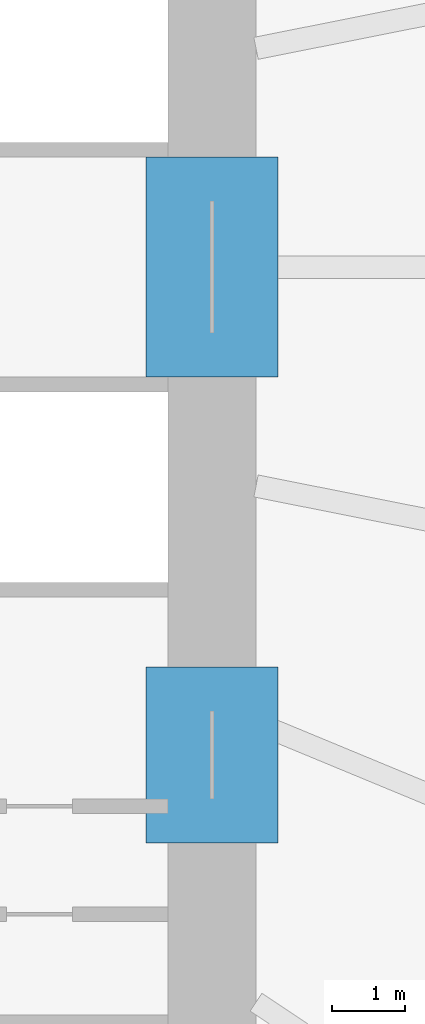
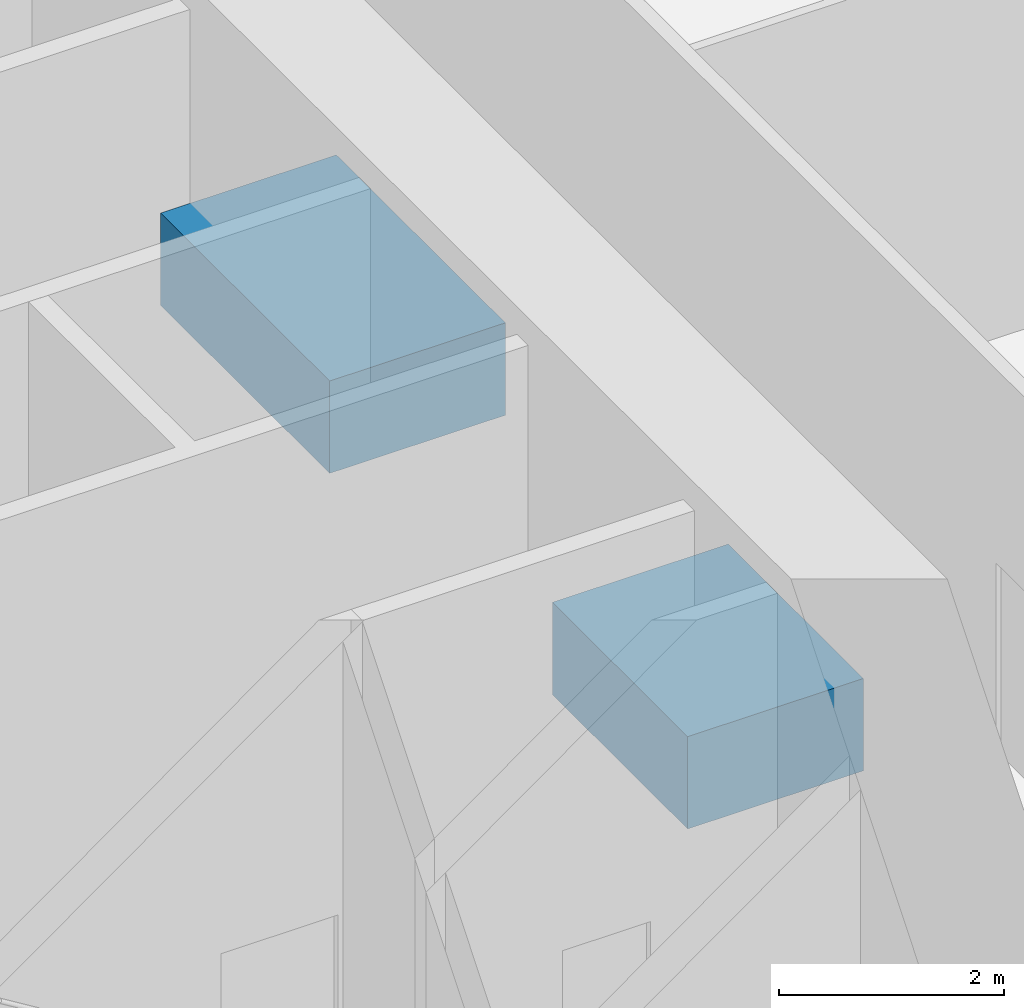
# One storey, part 10 of 37: 2 beams.
"""IFC4 building model written with IfcOpenShell, lengths in metres."""

from ifc_helpers import new_model, si_unit, direction, frame, origin, origin_2d, place, context, subcontext, project, spatial, rectangle, extrude, material, material_profile, profile_set, type_object, element, save


model = new_model("IFC4")

# Units and contexts
model_context = context("Model", 3, precision=1e-05, world=origin(), true_north=direction((0.0, 1.0)))
body_context = subcontext(model_context, "Body", "Model", "MODEL_VIEW")
ifc_project = project(units=[si_unit("LENGTHUNIT", "METRE"), si_unit("AREAUNIT", "SQUARE_METRE"), si_unit("VOLUMEUNIT", "CUBIC_METRE"), si_unit("PLANEANGLEUNIT", "RADIAN"), si_unit("MASSUNIT", "GRAM", prefix="KILO")], contexts=[model_context])

# Site, building, storey
site_placement = place(None, origin())
site = spatial("IfcSite", under=ifc_project, at=site_placement, CompositionType="ELEMENT")
building_placement = place(site_placement, origin())
building = spatial("IfcBuilding", under=site, at=building_placement, Name="Corvane Civic Tower", CompositionType="ELEMENT")
storey_placement = place(building_placement, frame((0.0, 0.0, 11.5)))
storey = spatial("IfcBuildingStorey", under=building, at=storey_placement, Name="L02", CompositionType="ELEMENT", Elevation=11.5)

# Beams
ifc_material = material(Name="Concrete C80/95", Category="concrete")
ifc_material_profile = material_profile(ifc_material, rectangle(XDim=1.800048828125, YDim=1.0, at=origin_2d()), Name="COUPLING BEAM 1800X1000")
ifc_profile_set = profile_set([ifc_material_profile], Name="Concrete C80/95")
beam_type = type_object("IfcBeamType", Name="COUPLING BEAM COUPLING BEAM 1800X1000", PredefinedType="BEAM", material=ifc_profile_set)
beam_1_placement = place(storey_placement, frame((14.39990234375, -1.5, 2.60009765625), z_axis=(0.0, 1.0, 0.0), x_axis=(-1.0, 0.0, 0.0)))
element("IfcBeam", 1, at=beam_1_placement, inside=storey, type_object=beam_type, Name="BM-L02-cpl-CW-LE", PredefinedType="BEAM", context=body_context, shape_type="SweptSolid", body=[
    extrude(rectangle(XDim=1.800048828125, YDim=1.0, at=origin_2d()), origin(), (0.0, 0.0, 1.0), 3.0),
])
beam_2_placement = place(storey_placement, frame((14.39990234375, -7.85009765625, 2.60009765625), z_axis=(0.0, 1.0, 0.0), x_axis=(-1.0, 0.0, 0.0)))
element("IfcBeam", 2, at=beam_2_placement, inside=storey, type_object=beam_type, Name="BM-L02-cpl-CW-ES", PredefinedType="BEAM", context=body_context, shape_type="SweptSolid", body=[
    extrude(rectangle(XDim=1.800048828125, YDim=1.0, at=origin_2d()), origin(), (0.0, 0.0, 1.0), 2.400146484375),
])

save(model, "model.ifc")
